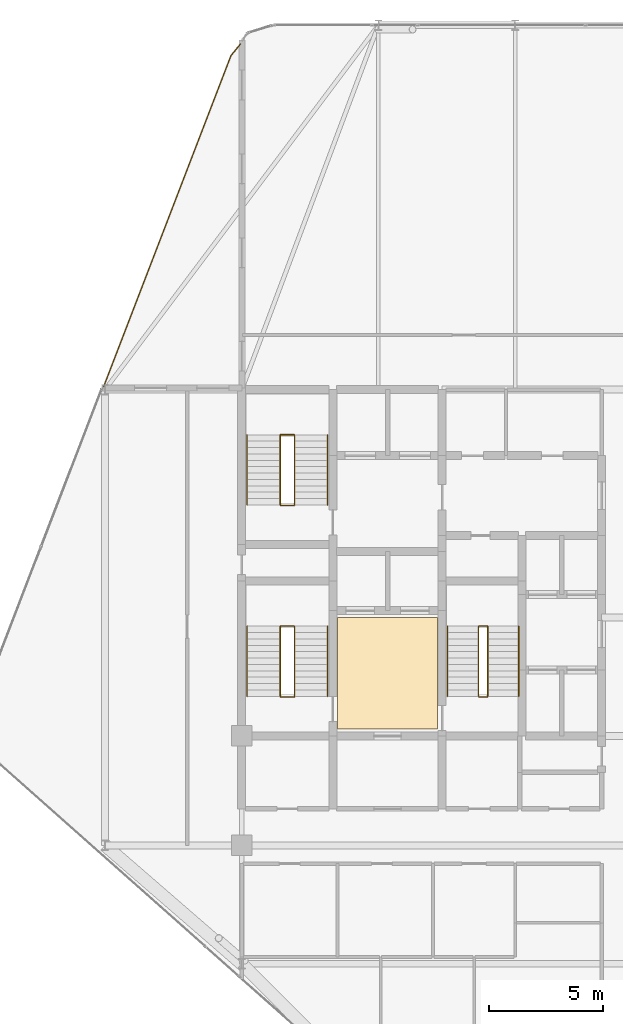
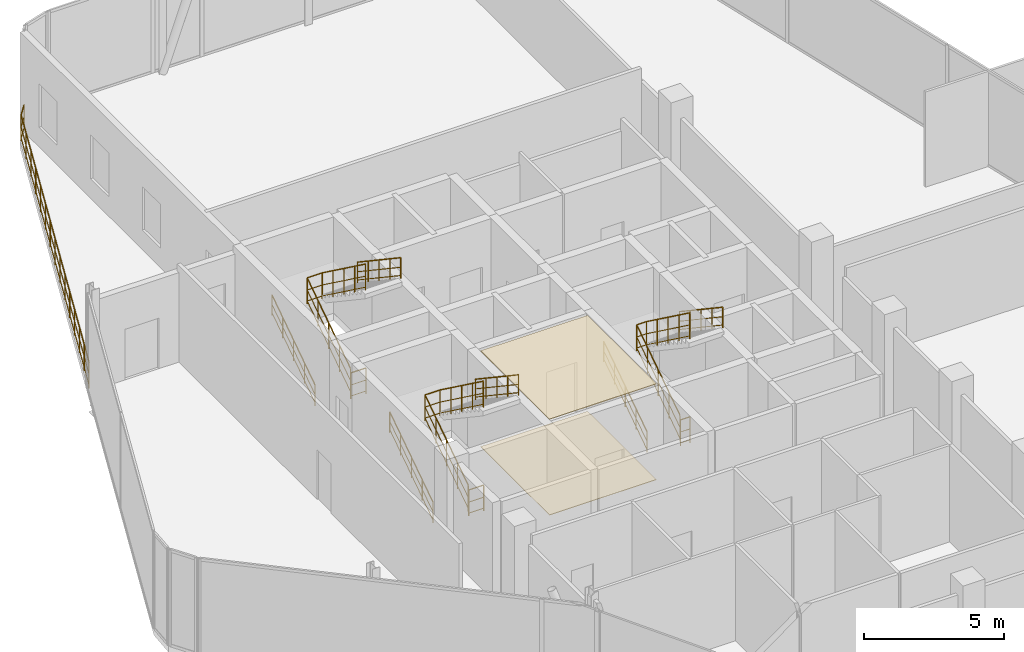
# One storey, part 31 of 31: 14 railings, 2 coverings.
"""IFC4 building model written with IfcOpenShell, lengths in metres."""

from ifc_helpers import new_model, si_unit, direction, frame, origin, origin_2d, place, context, subcontext, project, spatial, polyline, circle, outline, extrude, material, layer, layer_set, type_object, element, save


model = new_model("IFC4")

# Units and contexts
model_context = context("Model", 3, precision=1e-05, world=origin(), true_north=direction((0.0, 1.0)))
body_context = subcontext(model_context, "Body", "Model", "MODEL_VIEW")
ifc_project = project(units=[si_unit("LENGTHUNIT", "METRE"), si_unit("AREAUNIT", "SQUARE_METRE"), si_unit("VOLUMEUNIT", "CUBIC_METRE"), si_unit("PLANEANGLEUNIT", "RADIAN"), si_unit("MASSUNIT", "GRAM", prefix="KILO")], contexts=[model_context])

# Site, building, storey
site_placement = place(None, origin())
site = spatial("IfcSite", under=ifc_project, at=site_placement, CompositionType="ELEMENT")
building_placement = place(site_placement, origin())
building = spatial("IfcBuilding", under=site, at=building_placement, Name="Keshet Zoharim Tower", CompositionType="ELEMENT")
storey_placement = place(building_placement, frame((0.0, 0.0, 183.89990234375)))
storey = spatial("IfcBuildingStorey", under=building, at=storey_placement, Name="L45", CompositionType="ELEMENT", Elevation=183.89990234375)

# Coverings
ifc_material_1 = material(Name="Gypsum Plasterboard", Category="gypsum")
ifc_layer_1 = layer(ifc_material_1, 0.02490234375)
ifc_layer_set_1 = layer_set([ifc_layer_1], Name="Gypsum Plasterboard")
covering_type_1 = type_object("IfcCoveringType", Name="CV-CLG-025", PredefinedType="CEILING", material=ifc_layer_set_1)
covering_1_placement = place(storey_placement, frame((0.0, 0.0, 4.1650390625)))
element("IfcCovering", 1, at=covering_1_placement, inside=storey, type_object=covering_type_1, Name="L45 Core Lobby Acoustic Ceiling", PredefinedType="CEILING", context=body_context, shape_type="SweptSolid", body=[
    extrude(outline(polyline([(19.199951171875, 23.0), (23.60009765625, 23.0), (23.60009765625, 27.89990234375), (19.199951171875, 27.89990234375), (19.199951171875, 23.0)])), origin(), (0.0, 0.0, 1.0), 0.025146484375),
])
ifc_material_2 = material(Name="Porcelain Ceramic Tile", Category="ceramic")
ifc_layer_2 = layer(ifc_material_2, 0.02001953125)
ifc_layer_set_2 = layer_set([ifc_layer_2], Name="Porcelain Ceramic Tile")
covering_type_2 = type_object("IfcCoveringType", Name="CV-FLR-020", PredefinedType="FLOORING", material=ifc_layer_set_2)
covering_2_placement = place(storey_placement, origin())
element("IfcCovering", 2, at=covering_2_placement, inside=storey, type_object=covering_type_2, Name="L45 Core Lobby Porcelain Flooring", PredefinedType="FLOORING", context=body_context, shape_type="SweptSolid", body=[
    extrude(outline(polyline([(19.199951171875, 23.0), (23.60009765625, 23.0), (23.60009765625, 27.89990234375), (19.199951171875, 27.89990234375), (19.199951171875, 23.0)])), origin(), (0.0, 0.0, 1.0), 0.02001953125),
])

# Railings
ifc_material_3 = material(Name="Steel S355", Category="steel")
ifc_layer_3 = layer(ifc_material_3, 0.050048828125)
ifc_layer_set_3 = layer_set([ifc_layer_3], Name="Steel S355")
railing_type_1 = type_object("IfcRailingType", Name="RL-HND-092", PredefinedType="HANDRAIL", material=ifc_layer_set_3)
railing_1_placement = place(storey_placement, frame((15.239990234375, 24.43994140625, 0.1875)))
element("IfcRailing", 3, at=railing_1_placement, inside=storey, type_object=railing_type_1, Name="L45 ST-01 Flight 1 Wall Handrail", PredefinedType="HANDRAIL", context=body_context, shape_type="SweptSolid", body=[
    extrude(circle(Radius=0.02392578125, at=origin_2d()), frame((0.0, 0.0, 0.89599609375), z_axis=(0.0, 0.830913701846, 0.55640131208), x_axis=(-1.0, 0.0, 0.0)), (0.0, 0.0, 1.0), 3.706787109375),
    extrude(circle(Radius=0.01611328125, at=origin_2d()), frame((0.0, 0.0, 0.478271484375), z_axis=(0.0, 0.830913701846, 0.55640131208), x_axis=(-1.0, 0.0, 0.0)), (0.0, 0.0, 1.0), 3.706787109375),
    extrude(circle(Radius=0.01611328125, at=origin_2d()), frame((0.0, 0.0, 0.1201171875), z_axis=(0.0, 0.830913701846, 0.55640131208), x_axis=(-1.0, 0.0, 0.0)), (0.0, 0.0, 1.0), 3.706787109375),
    extrude(circle(Radius=0.02099609375, at=origin_2d()), origin(), (0.0, 0.0, 1.0), 0.871826171875),
    extrude(circle(Radius=0.02099609375, at=origin_2d()), frame((0.0, 0.77001953125, 0.515625)), (0.0, 0.0, 1.0), 0.871826171875),
    extrude(circle(Radius=0.02099609375, at=origin_2d()), frame((0.0, 1.5400390625, 1.03125)), (0.0, 0.0, 1.0), 0.871826171875),
    extrude(circle(Radius=0.02099609375, at=origin_2d()), frame((0.0, 2.31005859375, 1.546875)), (0.0, 0.0, 1.0), 0.871826171875),
    extrude(circle(Radius=0.02099609375, at=origin_2d()), frame((0.0, 3.080078125, 2.0625)), (0.0, 0.0, 1.0), 0.871826171875),
])
railing_2_placement = place(storey_placement, frame((18.760009765625, 27.52001953125, 2.4375)))
element("IfcRailing", 4, at=railing_2_placement, inside=storey, type_object=railing_type_1, Name="L45 ST-01 Flight 2 Wall Handrail", PredefinedType="HANDRAIL", context=body_context, shape_type="SweptSolid", body=[
    extrude(circle(Radius=0.02392578125, at=origin_2d()), frame((0.0, 0.0, 0.89599609375), z_axis=(0.0, -0.830913701846, 0.55640131208), x_axis=(1.0, 0.0, 0.0)), (0.0, 0.0, 1.0), 3.706787109375),
    extrude(circle(Radius=0.01611328125, at=origin_2d()), frame((0.0, 0.0, 0.478271484375), z_axis=(0.0, -0.830913701846, 0.55640131208), x_axis=(1.0, 0.0, 0.0)), (0.0, 0.0, 1.0), 3.706787109375),
    extrude(circle(Radius=0.01611328125, at=origin_2d()), frame((0.0, 0.0, 0.1201171875), z_axis=(0.0, -0.830913701846, 0.55640131208), x_axis=(1.0, 0.0, 0.0)), (0.0, 0.0, 1.0), 3.706787109375),
    extrude(circle(Radius=0.02099609375, at=origin_2d()), origin(), (0.0, 0.0, 1.0), 0.871826171875),
    extrude(circle(Radius=0.02099609375, at=origin_2d()), frame((0.0, -0.77001953125, 0.515625)), (0.0, 0.0, 1.0), 0.871826171875),
    extrude(circle(Radius=0.02099609375, at=origin_2d()), frame((0.0, -1.5400390625, 1.03125)), (0.0, 0.0, 1.0), 0.871826171875),
    extrude(circle(Radius=0.02099609375, at=origin_2d()), frame((0.0, -2.31005859375, 1.546875)), (0.0, 0.0, 1.0), 0.871826171875),
    extrude(circle(Radius=0.02099609375, at=origin_2d()), frame((0.0, -3.080078125, 2.0625)), (0.0, 0.0, 1.0), 0.871826171875),
])
railing_3_placement = place(storey_placement, frame((15.239990234375, 32.840087890625, 0.1875)))
element("IfcRailing", 5, at=railing_3_placement, inside=storey, type_object=railing_type_1, Name="L45 ST-02 Flight 1 Wall Handrail", PredefinedType="HANDRAIL", context=body_context, shape_type="SweptSolid", body=[
    extrude(circle(Radius=0.02392578125, at=origin_2d()), frame((0.0, 0.0, 0.89599609375), z_axis=(0.0, 0.830893310487, 0.556431762742), x_axis=(-1.0, 0.0, 0.0)), (0.0, 0.0, 1.0), 3.70654296875),
    extrude(circle(Radius=0.01611328125, at=origin_2d()), frame((0.0, 0.0, 0.478271484375), z_axis=(0.0, 0.830893310487, 0.556431762742), x_axis=(-1.0, 0.0, 0.0)), (0.0, 0.0, 1.0), 3.70654296875),
    extrude(circle(Radius=0.01611328125, at=origin_2d()), frame((0.0, 0.0, 0.1201171875), z_axis=(0.0, 0.830893310487, 0.556431762742), x_axis=(-1.0, 0.0, 0.0)), (0.0, 0.0, 1.0), 3.70654296875),
    extrude(circle(Radius=0.02099609375, at=origin_2d()), origin(), (0.0, 0.0, 1.0), 0.871826171875),
    extrude(circle(Radius=0.02099609375, at=origin_2d()), frame((0.0, 0.77001953125, 0.515625)), (0.0, 0.0, 1.0), 0.871826171875),
    extrude(circle(Radius=0.02099609375, at=origin_2d()), frame((0.0, 1.5400390625, 1.03125)), (0.0, 0.0, 1.0), 0.871826171875),
    extrude(circle(Radius=0.02099609375, at=origin_2d()), frame((0.0, 2.309814453125, 1.546875)), (0.0, 0.0, 1.0), 0.871826171875),
    extrude(circle(Radius=0.02099609375, at=origin_2d()), frame((0.0, 3.079833984375, 2.0625)), (0.0, 0.0, 1.0), 0.871826171875),
])
railing_4_placement = place(storey_placement, frame((18.760009765625, 35.919921875, 2.4375)))
element("IfcRailing", 6, at=railing_4_placement, inside=storey, type_object=railing_type_1, Name="L45 ST-02 Flight 2 Wall Handrail", PredefinedType="HANDRAIL", context=body_context, shape_type="SweptSolid", body=[
    extrude(circle(Radius=0.02392578125, at=origin_2d()), frame((0.0, 0.0, 0.89599609375), z_axis=(0.0, -0.830893310487, 0.556431762742), x_axis=(1.0, 0.0, 0.0)), (0.0, 0.0, 1.0), 3.70654296875),
    extrude(circle(Radius=0.01611328125, at=origin_2d()), frame((0.0, 0.0, 0.478271484375), z_axis=(0.0, -0.830893310487, 0.556431762742), x_axis=(1.0, 0.0, 0.0)), (0.0, 0.0, 1.0), 3.70654296875),
    extrude(circle(Radius=0.01611328125, at=origin_2d()), frame((0.0, 0.0, 0.1201171875), z_axis=(0.0, -0.830893310487, 0.556431762742), x_axis=(1.0, 0.0, 0.0)), (0.0, 0.0, 1.0), 3.70654296875),
    extrude(circle(Radius=0.02099609375, at=origin_2d()), origin(), (0.0, 0.0, 1.0), 0.871826171875),
    extrude(circle(Radius=0.02099609375, at=origin_2d()), frame((0.0, -0.77001953125, 0.515625)), (0.0, 0.0, 1.0), 0.871826171875),
    extrude(circle(Radius=0.02099609375, at=origin_2d()), frame((0.0, -1.5400390625, 1.03125)), (0.0, 0.0, 1.0), 0.871826171875),
    extrude(circle(Radius=0.02099609375, at=origin_2d()), frame((0.0, -2.309814453125, 1.546875)), (0.0, 0.0, 1.0), 0.871826171875),
    extrude(circle(Radius=0.02099609375, at=origin_2d()), frame((0.0, -3.079833984375, 2.0625)), (0.0, 0.0, 1.0), 0.871826171875),
])
railing_5_placement = place(storey_placement, frame((24.0400390625, 24.43994140625, 0.1875)))
element("IfcRailing", 7, at=railing_5_placement, inside=storey, type_object=railing_type_1, Name="L45 ST-03 Flight 1 Wall Handrail", PredefinedType="HANDRAIL", context=body_context, shape_type="SweptSolid", body=[
    extrude(circle(Radius=0.02392578125, at=origin_2d()), frame((0.0, 0.0, 0.89599609375), z_axis=(0.0, 0.830913701846, 0.55640131208), x_axis=(-1.0, 0.0, 0.0)), (0.0, 0.0, 1.0), 3.706787109375),
    extrude(circle(Radius=0.01611328125, at=origin_2d()), frame((0.0, 0.0, 0.478271484375), z_axis=(0.0, 0.830913701846, 0.55640131208), x_axis=(-1.0, 0.0, 0.0)), (0.0, 0.0, 1.0), 3.706787109375),
    extrude(circle(Radius=0.01611328125, at=origin_2d()), frame((0.0, 0.0, 0.1201171875), z_axis=(0.0, 0.830913701846, 0.55640131208), x_axis=(-1.0, 0.0, 0.0)), (0.0, 0.0, 1.0), 3.706787109375),
    extrude(circle(Radius=0.02099609375, at=origin_2d()), origin(), (0.0, 0.0, 1.0), 0.871826171875),
    extrude(circle(Radius=0.02099609375, at=origin_2d()), frame((0.0, 0.77001953125, 0.515625)), (0.0, 0.0, 1.0), 0.871826171875),
    extrude(circle(Radius=0.02099609375, at=origin_2d()), frame((0.0, 1.5400390625, 1.03125)), (0.0, 0.0, 1.0), 0.871826171875),
    extrude(circle(Radius=0.02099609375, at=origin_2d()), frame((0.0, 2.31005859375, 1.546875)), (0.0, 0.0, 1.0), 0.871826171875),
    extrude(circle(Radius=0.02099609375, at=origin_2d()), frame((0.0, 3.080078125, 2.0625)), (0.0, 0.0, 1.0), 0.871826171875),
])
railing_6_placement = place(storey_placement, frame((27.159912109375, 27.52001953125, 2.4375)))
element("IfcRailing", 8, at=railing_6_placement, inside=storey, type_object=railing_type_1, Name="L45 ST-03 Flight 2 Wall Handrail", PredefinedType="HANDRAIL", context=body_context, shape_type="SweptSolid", body=[
    extrude(circle(Radius=0.02392578125, at=origin_2d()), frame((0.0, 0.0, 0.89599609375), z_axis=(0.0, -0.830913701846, 0.55640131208), x_axis=(1.0, 0.0, 0.0)), (0.0, 0.0, 1.0), 3.706787109375),
    extrude(circle(Radius=0.01611328125, at=origin_2d()), frame((0.0, 0.0, 0.478271484375), z_axis=(0.0, -0.830913701846, 0.55640131208), x_axis=(1.0, 0.0, 0.0)), (0.0, 0.0, 1.0), 3.706787109375),
    extrude(circle(Radius=0.01611328125, at=origin_2d()), frame((0.0, 0.0, 0.1201171875), z_axis=(0.0, -0.830913701846, 0.55640131208), x_axis=(1.0, 0.0, 0.0)), (0.0, 0.0, 1.0), 3.706787109375),
    extrude(circle(Radius=0.02099609375, at=origin_2d()), origin(), (0.0, 0.0, 1.0), 0.871826171875),
    extrude(circle(Radius=0.02099609375, at=origin_2d()), frame((0.0, -0.77001953125, 0.515625)), (0.0, 0.0, 1.0), 0.871826171875),
    extrude(circle(Radius=0.02099609375, at=origin_2d()), frame((0.0, -1.5400390625, 1.03125)), (0.0, 0.0, 1.0), 0.871826171875),
    extrude(circle(Radius=0.02099609375, at=origin_2d()), frame((0.0, -2.31005859375, 1.546875)), (0.0, 0.0, 1.0), 0.871826171875),
    extrude(circle(Radius=0.02099609375, at=origin_2d()), frame((0.0, -3.080078125, 2.0625)), (0.0, 0.0, 1.0), 0.871826171875),
])
ifc_layer_4 = layer(ifc_material_3, 0.06005859375)
ifc_layer_set_4 = layer_set([ifc_layer_4], Name="Steel S355")
railing_type_2 = type_object("IfcRailingType", Name="RL-STG-115", PredefinedType="GUARDRAIL", material=ifc_layer_set_4)
railing_7_placement = place(storey_placement, frame((16.68994140625, 24.43994140625, 0.1875)))
element("IfcRailing", 9, at=railing_7_placement, inside=storey, type_object=railing_type_2, Name="L45 ST-01 Inner Well Guardrail", PredefinedType="GUARDRAIL", context=body_context, shape_type="SweptSolid", body=[
    extrude(circle(Radius=0.02392578125, at=origin_2d()), frame((0.0, 0.0, 1.1259765625), z_axis=(0.0, 0.830913701846, 0.55640131208), x_axis=(-1.0, 0.0, 0.0)), (0.0, 0.0, 1.0), 3.706787109375),
    extrude(circle(Radius=0.01611328125, at=origin_2d()), frame((0.0, 0.0, 0.597900390625), z_axis=(0.0, 0.830913701846, 0.55640131208), x_axis=(-1.0, 0.0, 0.0)), (0.0, 0.0, 1.0), 3.706787109375),
    extrude(circle(Radius=0.01611328125, at=origin_2d()), frame((0.0, 0.0, 0.1201171875), z_axis=(0.0, 0.830913701846, 0.55640131208), x_axis=(-1.0, 0.0, 0.0)), (0.0, 0.0, 1.0), 3.706787109375),
    extrude(circle(Radius=0.02392578125, at=origin_2d()), frame((0.0, 3.080078125, 3.1884765625), z_axis=(1.0, 0.0, 0.0), x_axis=(0.0, 1.0, 0.0)), (0.0, 0.0, 1.0), 0.6201171875),
    extrude(circle(Radius=0.01611328125, at=origin_2d()), frame((0.0, 3.080078125, 2.660400390625), z_axis=(1.0, 0.0, 0.0), x_axis=(0.0, 1.0, 0.0)), (0.0, 0.0, 1.0), 0.6201171875),
    extrude(circle(Radius=0.01611328125, at=origin_2d()), frame((0.0, 3.080078125, 2.1826171875), z_axis=(1.0, 0.0, 0.0), x_axis=(0.0, 1.0, 0.0)), (0.0, 0.0, 1.0), 0.6201171875),
    extrude(circle(Radius=0.02392578125, at=origin_2d()), frame((0.6201171875, 3.080078125, 3.1884765625), z_axis=(0.0, -0.807494308864, 0.589875360692), x_axis=(1.0, 0.0, 0.0)), (0.0, 0.0, 1.0), 3.814453125),
    extrude(circle(Radius=0.01611328125, at=origin_2d()), frame((0.6201171875, 3.080078125, 2.660400390625), z_axis=(0.0, -0.807494308864, 0.589875360692), x_axis=(1.0, 0.0, 0.0)), (0.0, 0.0, 1.0), 3.814453125),
    extrude(circle(Radius=0.01611328125, at=origin_2d()), frame((0.6201171875, 3.080078125, 2.1826171875), z_axis=(0.0, -0.807494308864, 0.589875360692), x_axis=(1.0, 0.0, 0.0)), (0.0, 0.0, 1.0), 3.814453125),
    extrude(circle(Radius=0.02099609375, at=origin_2d()), origin(), (0.0, 0.0, 1.0), 1.101806640625),
    extrude(circle(Radius=0.02099609375, at=origin_2d()), frame((0.0, 0.77001953125, 0.515625)), (0.0, 0.0, 1.0), 1.101806640625),
    extrude(circle(Radius=0.02099609375, at=origin_2d()), frame((0.0, 1.5400390625, 1.03125)), (0.0, 0.0, 1.0), 1.101806640625),
    extrude(circle(Radius=0.02099609375, at=origin_2d()), frame((0.0, 2.31005859375, 1.546875)), (0.0, 0.0, 1.0), 1.101806640625),
    extrude(circle(Radius=0.02099609375, at=origin_2d()), frame((0.0, 3.080078125, 2.0625)), (0.0, 0.0, 1.0), 1.101806640625),
    extrude(circle(Radius=0.02099609375, at=origin_2d()), frame((0.6201171875, 3.080078125, 2.0625)), (0.0, 0.0, 1.0), 1.101806640625),
    extrude(circle(Radius=0.02099609375, at=origin_2d()), frame((0.6201171875, 2.31005859375, 2.625)), (0.0, 0.0, 1.0), 1.101806640625),
    extrude(circle(Radius=0.02099609375, at=origin_2d()), frame((0.6201171875, 1.5400390625, 3.1875)), (0.0, 0.0, 1.0), 1.101806640625),
    extrude(circle(Radius=0.02099609375, at=origin_2d()), frame((0.6201171875, 0.77001953125, 3.75)), (0.0, 0.0, 1.0), 1.101806640625),
    extrude(circle(Radius=0.02099609375, at=origin_2d()), frame((0.6201171875, 0.0, 4.3125)), (0.0, 0.0, 1.0), 1.101806640625),
])
railing_8_placement = place(storey_placement, frame((16.68994140625, 24.409912109375, 0.0)))
element("IfcRailing", 10, at=railing_8_placement, inside=storey, type_object=railing_type_2, Name="L45 ST-01 Stairwell Floor Guardrail", PredefinedType="GUARDRAIL", context=body_context, shape_type="SweptSolid", body=[
    extrude(circle(Radius=0.02392578125, at=origin_2d()), frame((0.0, 0.0, 1.1259765625), z_axis=(1.0, 0.0, 0.0), x_axis=(0.0, 1.0, 0.0)), (0.0, 0.0, 1.0), 0.6201171875),
    extrude(circle(Radius=0.01611328125, at=origin_2d()), frame((0.0, 0.0, 0.597900390625), z_axis=(1.0, 0.0, 0.0), x_axis=(0.0, 1.0, 0.0)), (0.0, 0.0, 1.0), 0.6201171875),
    extrude(circle(Radius=0.01611328125, at=origin_2d()), frame((0.0, 0.0, 0.1201171875), z_axis=(1.0, 0.0, 0.0), x_axis=(0.0, 1.0, 0.0)), (0.0, 0.0, 1.0), 0.6201171875),
    extrude(circle(Radius=0.02099609375, at=origin_2d()), origin(), (0.0, 0.0, 1.0), 1.101806640625),
    extrude(circle(Radius=0.02099609375, at=origin_2d()), frame((0.6201171875, 0.0, 0.0)), (0.0, 0.0, 1.0), 1.101806640625),
])
railing_9_placement = place(storey_placement, frame((16.68994140625, 32.840087890625, 0.1875)))
element("IfcRailing", 11, at=railing_9_placement, inside=storey, type_object=railing_type_2, Name="L45 ST-02 Inner Well Guardrail", PredefinedType="GUARDRAIL", context=body_context, shape_type="SweptSolid", body=[
    extrude(circle(Radius=0.02392578125, at=origin_2d()), frame((0.0, 0.0, 1.1259765625), z_axis=(0.0, 0.830893310487, 0.556431762742), x_axis=(-1.0, 0.0, 0.0)), (0.0, 0.0, 1.0), 3.70654296875),
    extrude(circle(Radius=0.01611328125, at=origin_2d()), frame((0.0, 0.0, 0.597900390625), z_axis=(0.0, 0.830893310487, 0.556431762742), x_axis=(-1.0, 0.0, 0.0)), (0.0, 0.0, 1.0), 3.70654296875),
    extrude(circle(Radius=0.01611328125, at=origin_2d()), frame((0.0, 0.0, 0.1201171875), z_axis=(0.0, 0.830893310487, 0.556431762742), x_axis=(-1.0, 0.0, 0.0)), (0.0, 0.0, 1.0), 3.70654296875),
    extrude(circle(Radius=0.02392578125, at=origin_2d()), frame((0.0, 3.079833984375, 3.1884765625), z_axis=(1.0, 0.0, 0.0), x_axis=(0.0, 1.0, 0.0)), (0.0, 0.0, 1.0), 0.6201171875),
    extrude(circle(Radius=0.01611328125, at=origin_2d()), frame((0.0, 3.079833984375, 2.660400390625), z_axis=(1.0, 0.0, 0.0), x_axis=(0.0, 1.0, 0.0)), (0.0, 0.0, 1.0), 0.6201171875),
    extrude(circle(Radius=0.01611328125, at=origin_2d()), frame((0.0, 3.079833984375, 2.1826171875), z_axis=(1.0, 0.0, 0.0), x_axis=(0.0, 1.0, 0.0)), (0.0, 0.0, 1.0), 0.6201171875),
    extrude(circle(Radius=0.02392578125, at=origin_2d()), frame((0.6201171875, 3.079833984375, 3.1884765625), z_axis=(0.0, -0.80747203621, 0.589905849046), x_axis=(1.0, 0.0, 0.0)), (0.0, 0.0, 1.0), 3.814208984375),
    extrude(circle(Radius=0.01611328125, at=origin_2d()), frame((0.6201171875, 3.079833984375, 2.660400390625), z_axis=(0.0, -0.80747203621, 0.589905849046), x_axis=(1.0, 0.0, 0.0)), (0.0, 0.0, 1.0), 3.814208984375),
    extrude(circle(Radius=0.01611328125, at=origin_2d()), frame((0.6201171875, 3.079833984375, 2.1826171875), z_axis=(0.0, -0.80747203621, 0.589905849046), x_axis=(1.0, 0.0, 0.0)), (0.0, 0.0, 1.0), 3.814208984375),
    extrude(circle(Radius=0.02099609375, at=origin_2d()), origin(), (0.0, 0.0, 1.0), 1.101806640625),
    extrude(circle(Radius=0.02099609375, at=origin_2d()), frame((0.0, 0.77001953125, 0.515625)), (0.0, 0.0, 1.0), 1.101806640625),
    extrude(circle(Radius=0.02099609375, at=origin_2d()), frame((0.0, 1.5400390625, 1.03125)), (0.0, 0.0, 1.0), 1.101806640625),
    extrude(circle(Radius=0.02099609375, at=origin_2d()), frame((0.0, 2.309814453125, 1.546875)), (0.0, 0.0, 1.0), 1.101806640625),
    extrude(circle(Radius=0.02099609375, at=origin_2d()), frame((0.0, 3.079833984375, 2.0625)), (0.0, 0.0, 1.0), 1.101806640625),
    extrude(circle(Radius=0.02099609375, at=origin_2d()), frame((0.6201171875, 3.079833984375, 2.0625)), (0.0, 0.0, 1.0), 1.101806640625),
    extrude(circle(Radius=0.02099609375, at=origin_2d()), frame((0.6201171875, 2.309814453125, 2.625)), (0.0, 0.0, 1.0), 1.101806640625),
    extrude(circle(Radius=0.02099609375, at=origin_2d()), frame((0.6201171875, 1.5400390625, 3.1875)), (0.0, 0.0, 1.0), 1.101806640625),
    extrude(circle(Radius=0.02099609375, at=origin_2d()), frame((0.6201171875, 0.77001953125, 3.75)), (0.0, 0.0, 1.0), 1.101806640625),
    extrude(circle(Radius=0.02099609375, at=origin_2d()), frame((0.6201171875, 0.0, 4.3125)), (0.0, 0.0, 1.0), 1.101806640625),
])
railing_10_placement = place(storey_placement, frame((16.68994140625, 32.81005859375, 0.0)))
element("IfcRailing", 12, at=railing_10_placement, inside=storey, type_object=railing_type_2, Name="L45 ST-02 Stairwell Floor Guardrail", PredefinedType="GUARDRAIL", context=body_context, shape_type="SweptSolid", body=[
    extrude(circle(Radius=0.02392578125, at=origin_2d()), frame((0.0, 0.0, 1.1259765625), z_axis=(1.0, 0.0, 0.0), x_axis=(0.0, 1.0, 0.0)), (0.0, 0.0, 1.0), 0.6201171875),
    extrude(circle(Radius=0.01611328125, at=origin_2d()), frame((0.0, 0.0, 0.597900390625), z_axis=(1.0, 0.0, 0.0), x_axis=(0.0, 1.0, 0.0)), (0.0, 0.0, 1.0), 0.6201171875),
    extrude(circle(Radius=0.01611328125, at=origin_2d()), frame((0.0, 0.0, 0.1201171875), z_axis=(1.0, 0.0, 0.0), x_axis=(0.0, 1.0, 0.0)), (0.0, 0.0, 1.0), 0.6201171875),
    extrude(circle(Radius=0.02099609375, at=origin_2d()), origin(), (0.0, 0.0, 1.0), 1.101806640625),
    extrude(circle(Radius=0.02099609375, at=origin_2d()), frame((0.6201171875, 0.0, 0.0)), (0.0, 0.0, 1.0), 1.101806640625),
])
railing_11_placement = place(storey_placement, frame((25.39990234375, 24.43994140625, 0.1875)))
element("IfcRailing", 13, at=railing_11_placement, inside=storey, type_object=railing_type_2, Name="L45 ST-03 Inner Well Guardrail", PredefinedType="GUARDRAIL", context=body_context, shape_type="SweptSolid", body=[
    extrude(circle(Radius=0.02392578125, at=origin_2d()), frame((0.0, 0.0, 1.1259765625), z_axis=(0.0, 0.830913701846, 0.55640131208), x_axis=(-1.0, 0.0, 0.0)), (0.0, 0.0, 1.0), 3.706787109375),
    extrude(circle(Radius=0.01611328125, at=origin_2d()), frame((0.0, 0.0, 0.597900390625), z_axis=(0.0, 0.830913701846, 0.55640131208), x_axis=(-1.0, 0.0, 0.0)), (0.0, 0.0, 1.0), 3.706787109375),
    extrude(circle(Radius=0.01611328125, at=origin_2d()), frame((0.0, 0.0, 0.1201171875), z_axis=(0.0, 0.830913701846, 0.55640131208), x_axis=(-1.0, 0.0, 0.0)), (0.0, 0.0, 1.0), 3.706787109375),
    extrude(circle(Radius=0.02392578125, at=origin_2d()), frame((0.0, 3.080078125, 3.1884765625), z_axis=(1.0, 0.0, 0.0), x_axis=(0.0, 1.0, 0.0)), (0.0, 0.0, 1.0), 0.400146484375),
    extrude(circle(Radius=0.01611328125, at=origin_2d()), frame((0.0, 3.080078125, 2.660400390625), z_axis=(1.0, 0.0, 0.0), x_axis=(0.0, 1.0, 0.0)), (0.0, 0.0, 1.0), 0.400146484375),
    extrude(circle(Radius=0.01611328125, at=origin_2d()), frame((0.0, 3.080078125, 2.1826171875), z_axis=(1.0, 0.0, 0.0), x_axis=(0.0, 1.0, 0.0)), (0.0, 0.0, 1.0), 0.400146484375),
    extrude(circle(Radius=0.02392578125, at=origin_2d()), frame((0.400146484375, 3.080078125, 3.1884765625), z_axis=(0.0, -0.807494308864, 0.589875360692), x_axis=(1.0, 0.0, 0.0)), (0.0, 0.0, 1.0), 3.814453125),
    extrude(circle(Radius=0.01611328125, at=origin_2d()), frame((0.400146484375, 3.080078125, 2.660400390625), z_axis=(0.0, -0.807494308864, 0.589875360692), x_axis=(1.0, 0.0, 0.0)), (0.0, 0.0, 1.0), 3.814453125),
    extrude(circle(Radius=0.01611328125, at=origin_2d()), frame((0.400146484375, 3.080078125, 2.1826171875), z_axis=(0.0, -0.807494308864, 0.589875360692), x_axis=(1.0, 0.0, 0.0)), (0.0, 0.0, 1.0), 3.814453125),
    extrude(circle(Radius=0.02099609375, at=origin_2d()), origin(), (0.0, 0.0, 1.0), 1.101806640625),
    extrude(circle(Radius=0.02099609375, at=origin_2d()), frame((0.0, 0.77001953125, 0.515625)), (0.0, 0.0, 1.0), 1.101806640625),
    extrude(circle(Radius=0.02099609375, at=origin_2d()), frame((0.0, 1.5400390625, 1.03125)), (0.0, 0.0, 1.0), 1.101806640625),
    extrude(circle(Radius=0.02099609375, at=origin_2d()), frame((0.0, 2.31005859375, 1.546875)), (0.0, 0.0, 1.0), 1.101806640625),
    extrude(circle(Radius=0.02099609375, at=origin_2d()), frame((0.0, 3.080078125, 2.0625)), (0.0, 0.0, 1.0), 1.101806640625),
    extrude(circle(Radius=0.02099609375, at=origin_2d()), frame((0.400146484375, 3.080078125, 2.0625)), (0.0, 0.0, 1.0), 1.101806640625),
    extrude(circle(Radius=0.02099609375, at=origin_2d()), frame((0.400146484375, 2.31005859375, 2.625)), (0.0, 0.0, 1.0), 1.101806640625),
    extrude(circle(Radius=0.02099609375, at=origin_2d()), frame((0.400146484375, 1.5400390625, 3.1875)), (0.0, 0.0, 1.0), 1.101806640625),
    extrude(circle(Radius=0.02099609375, at=origin_2d()), frame((0.400146484375, 0.77001953125, 3.75)), (0.0, 0.0, 1.0), 1.101806640625),
    extrude(circle(Radius=0.02099609375, at=origin_2d()), frame((0.400146484375, 0.0, 4.3125)), (0.0, 0.0, 1.0), 1.101806640625),
])
railing_12_placement = place(storey_placement, frame((25.39990234375, 24.409912109375, 0.0)))
element("IfcRailing", 14, at=railing_12_placement, inside=storey, type_object=railing_type_2, Name="L45 ST-03 Stairwell Floor Guardrail", PredefinedType="GUARDRAIL", context=body_context, shape_type="SweptSolid", body=[
    extrude(circle(Radius=0.02392578125, at=origin_2d()), frame((0.0, 0.0, 1.1259765625), z_axis=(1.0, 0.0, 0.0), x_axis=(0.0, 1.0, 0.0)), (0.0, 0.0, 1.0), 0.400146484375),
    extrude(circle(Radius=0.01611328125, at=origin_2d()), frame((0.0, 0.0, 0.597900390625), z_axis=(1.0, 0.0, 0.0), x_axis=(0.0, 1.0, 0.0)), (0.0, 0.0, 1.0), 0.400146484375),
    extrude(circle(Radius=0.01611328125, at=origin_2d()), frame((0.0, 0.0, 0.1201171875), z_axis=(1.0, 0.0, 0.0), x_axis=(0.0, 1.0, 0.0)), (0.0, 0.0, 1.0), 0.400146484375),
    extrude(circle(Radius=0.02099609375, at=origin_2d()), origin(), (0.0, 0.0, 1.0), 1.101806640625),
    extrude(circle(Radius=0.02099609375, at=origin_2d()), frame((0.400146484375, 0.0, 0.0)), (0.0, 0.0, 1.0), 1.101806640625),
])
ifc_layer_5 = layer(ifc_material_3, 0.070068359375)
ifc_layer_set_5 = layer_set([ifc_layer_5], Name="Steel S355")
railing_type_3 = type_object("IfcRailingType", Name="RL-TER-115", PredefinedType="GUARDRAIL", material=ifc_layer_set_5)
railing_13_placement = place(storey_placement, frame((8.943115234375, 38.0400390625, 0.0)))
element("IfcRailing", 15, at=railing_13_placement, inside=storey, type_object=railing_type_3, Name="L45 Terrace Perimeter Guardrail 01", PredefinedType="GUARDRAIL", context=body_context, shape_type="SweptSolid", body=[
    extrude(circle(Radius=0.02392578125, at=origin_2d()), frame((0.0, 0.0, 1.1259765625), z_axis=(0.358989593274, 0.933341562302, 0.0), x_axis=(-0.933341562302, 0.358989593274, 0.0)), (0.0, 0.0, 1.0), 15.56005859375),
    extrude(circle(Radius=0.01611328125, at=origin_2d()), frame((0.0, 0.0, 0.597900390625), z_axis=(0.358989593274, 0.933341562302, 0.0), x_axis=(-0.933341562302, 0.358989593274, 0.0)), (0.0, 0.0, 1.0), 15.56005859375),
    extrude(circle(Radius=0.01611328125, at=origin_2d()), frame((0.0, 0.0, 0.1201171875), z_axis=(0.358989593274, 0.933341562302, 0.0), x_axis=(-0.933341562302, 0.358989593274, 0.0)), (0.0, 0.0, 1.0), 15.56005859375),
    extrude(circle(Radius=0.02099609375, at=origin_2d()), origin(), (0.0, 0.0, 1.0), 1.101806640625),
    extrude(circle(Radius=0.02099609375, at=origin_2d()), frame((0.39892578125, 1.037353515625, 0.0)), (0.0, 0.0, 1.0), 1.101806640625),
    extrude(circle(Radius=0.02099609375, at=origin_2d()), frame((0.798095703125, 2.07470703125, 0.0)), (0.0, 0.0, 1.0), 1.101806640625),
    extrude(circle(Radius=0.02099609375, at=origin_2d()), frame((1.197021484375, 3.112060546875, 0.0)), (0.0, 0.0, 1.0), 1.101806640625),
    extrude(circle(Radius=0.02099609375, at=origin_2d()), frame((1.595947265625, 4.1494140625, 0.0)), (0.0, 0.0, 1.0), 1.101806640625),
    extrude(circle(Radius=0.02099609375, at=origin_2d()), frame((1.994873046875, 5.186767578125, 0.0)), (0.0, 0.0, 1.0), 1.101806640625),
    extrude(circle(Radius=0.02099609375, at=origin_2d()), frame((2.39404296875, 6.22412109375, 0.0)), (0.0, 0.0, 1.0), 1.101806640625),
    extrude(circle(Radius=0.02099609375, at=origin_2d()), frame((2.79296875, 7.261474609375, 0.0)), (0.0, 0.0, 1.0), 1.101806640625),
    extrude(circle(Radius=0.02099609375, at=origin_2d()), frame((3.19189453125, 8.298828125, 0.0)), (0.0, 0.0, 1.0), 1.101806640625),
    extrude(circle(Radius=0.02099609375, at=origin_2d()), frame((3.591064453125, 9.336181640625, 0.0)), (0.0, 0.0, 1.0), 1.101806640625),
    extrude(circle(Radius=0.02099609375, at=origin_2d()), frame((3.989990234375, 10.37353515625, 0.0)), (0.0, 0.0, 1.0), 1.101806640625),
    extrude(circle(Radius=0.02099609375, at=origin_2d()), frame((4.388916015625, 11.410888671875, 0.0)), (0.0, 0.0, 1.0), 1.101806640625),
    extrude(circle(Radius=0.02099609375, at=origin_2d()), frame((4.787841796875, 12.4482421875, 0.0)), (0.0, 0.0, 1.0), 1.101806640625),
    extrude(circle(Radius=0.02099609375, at=origin_2d()), frame((5.18701171875, 13.485595703125, 0.0)), (0.0, 0.0, 1.0), 1.101806640625),
    extrude(circle(Radius=0.02099609375, at=origin_2d()), frame((5.5859375, 14.52294921875, 0.0)), (0.0, 0.0, 1.0), 1.101806640625),
])
railing_14_placement = place(storey_placement, frame((14.529052734375, 52.56298828125, 0.0)))
element("IfcRailing", 16, at=railing_14_placement, inside=storey, type_object=railing_type_3, Name="L45 Terrace Perimeter Guardrail 02", PredefinedType="GUARDRAIL", context=body_context, shape_type="SweptSolid", body=[
    extrude(circle(Radius=0.02392578125, at=origin_2d()), frame((0.0, 0.0, 1.1259765625), z_axis=(0.634339165278, 0.773054864414, 0.0), x_axis=(-0.773054864414, 0.634339165278, 0.0)), (0.0, 0.0, 1.0), 0.66357421875),
    extrude(circle(Radius=0.01611328125, at=origin_2d()), frame((0.0, 0.0, 0.597900390625), z_axis=(0.634339165278, 0.773054864414, 0.0), x_axis=(-0.773054864414, 0.634339165278, 0.0)), (0.0, 0.0, 1.0), 0.66357421875),
    extrude(circle(Radius=0.01611328125, at=origin_2d()), frame((0.0, 0.0, 0.1201171875), z_axis=(0.634339165278, 0.773054864414, 0.0), x_axis=(-0.773054864414, 0.634339165278, 0.0)), (0.0, 0.0, 1.0), 0.66357421875),
    extrude(circle(Radius=0.02099609375, at=origin_2d()), origin(), (0.0, 0.0, 1.0), 1.101806640625),
    extrude(circle(Radius=0.02099609375, at=origin_2d()), frame((0.4208984375, 0.512939453125, 0.0)), (0.0, 0.0, 1.0), 1.101806640625),
])

save(model, "model.ifc")
